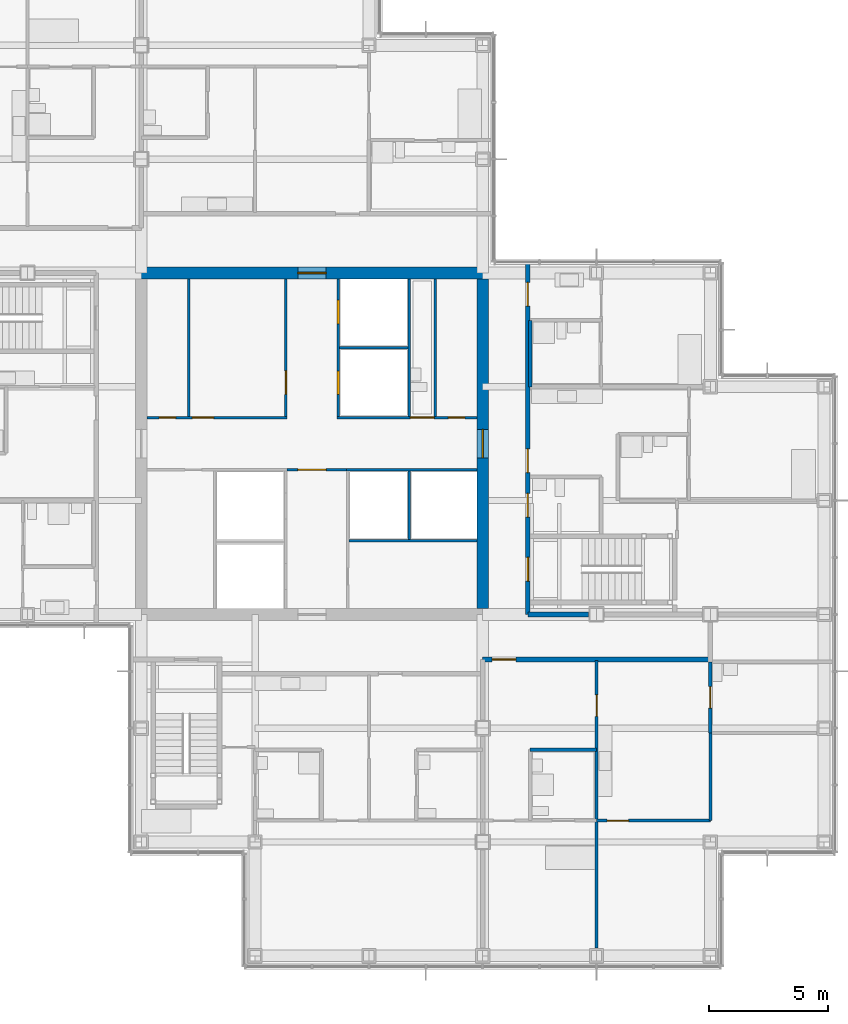
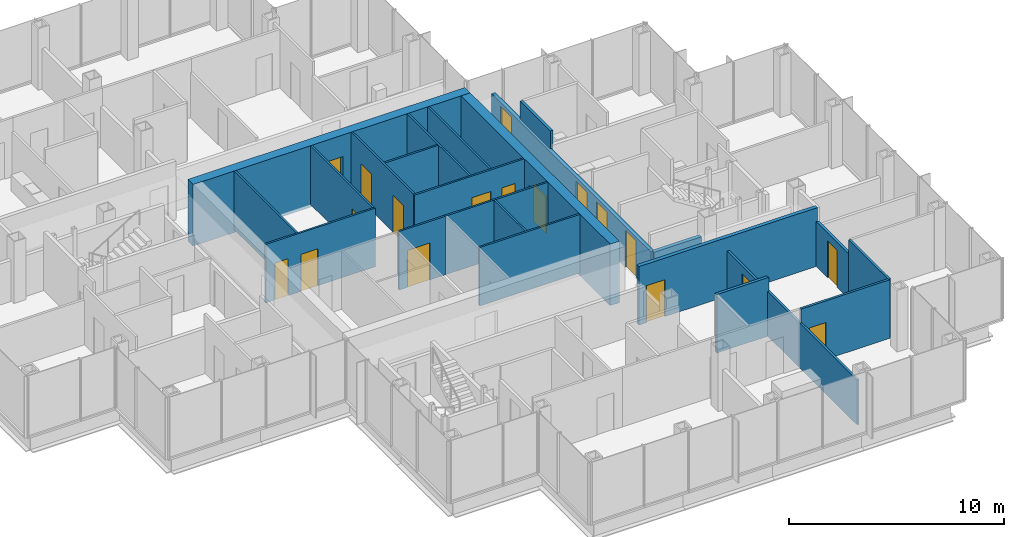
# One storey, part 15 of 20: 24 walls, 18 doors, 18 openings.
"""IFC4 building model written with IfcOpenShell, lengths in metres."""

from ifc_helpers import new_model, si_unit, direction, frame, frame_2d, origin, place, context, subcontext, project, spatial, rectangle, extrude, material, layer, layer_set, type_object, element, fill, save


model = new_model("IFC4")

# Units and contexts
model_context = context("Model", 3, precision=1e-05, world=origin(), true_north=direction((0.0, 1.0)))
body_context = subcontext(model_context, "Body", "Model", "MODEL_VIEW")
ifc_project = project(units=[si_unit("LENGTHUNIT", "METRE"), si_unit("AREAUNIT", "SQUARE_METRE"), si_unit("VOLUMEUNIT", "CUBIC_METRE"), si_unit("PLANEANGLEUNIT", "RADIAN"), si_unit("MASSUNIT", "GRAM", prefix="KILO")], contexts=[model_context])

# Site, building, storey
site_placement = place(None, origin())
site = spatial("IfcSite", under=ifc_project, at=site_placement, CompositionType="ELEMENT")
building_placement = place(site_placement, origin())
building = spatial("IfcBuilding", under=site, at=building_placement, Name="Kvirike Care Tower", CompositionType="ELEMENT")
storey_placement = place(building_placement, frame((0.0, 0.0, 126.0)))
storey = spatial("IfcBuildingStorey", under=building, at=storey_placement, Name="L34", CompositionType="ELEMENT", Elevation=126.0)

# Wall
ifc_material_1 = material(Name="Moisture-resistant board partition", Category="gypsum")
ifc_layer_1 = layer(ifc_material_1, 0.14990234375)
ifc_layer_set_1 = layer_set([ifc_layer_1], Name="BATHROOM WALL 150")
wall_type_1 = type_object("IfcWallType", Name="BATHROOM WALL 150", PredefinedType="PARTITIONING", material=ifc_layer_set_1)
wall_1_placement = place(storey_placement, frame((30.800048828125, 23.10009765625, 0.0), z_axis=(0.0, 0.0, 1.0), x_axis=(1.0, 0.0, 0.0)))
element("IfcWall", 1, at=wall_1_placement, inside=storey, type_object=wall_type_1, Name="Bathroom Wall 150 L34", PredefinedType="PARTITIONING", context=body_context, shape_type="SweptSolid", body=[
    extrude(rectangle(XDim=2.800048828125, YDim=0.14990234375, at=frame_2d((1.39990234375, 0.0))), origin(), (0.0, 0.0, 1.0), 3.330078125),
])

# Wall, opening, door
wall_2_placement = place(storey_placement, frame((38.39990234375, 23.800048828125, 0.0), z_axis=(0.0, 0.0, 1.0), x_axis=(0.0, 1.0, 0.0)))
wall_2 = element("IfcWall", 2, at=wall_2_placement, inside=storey, type_object=wall_type_1, Name="Bathroom Wall 150 L34", PredefinedType="PARTITIONING", context=body_context, shape_type="SweptSolid", body=[
    extrude(rectangle(XDim=3.0, YDim=0.14990234375, at=frame_2d((1.5, 0.0))), origin(), (0.0, 0.0, 1.0), 2.550048828125),
])
opening_1_placement = place(wall_2_placement, frame((1.050048828125, 0.0, 0.0)))
opening_1 = element("IfcOpeningElement", 3, at=opening_1_placement, cuts=wall_2, Name="Opening 34-029", PredefinedType="OPENING", context=body_context, shape_type="SweptSolid", body=[
    extrude(rectangle(XDim=0.89990234375, YDim=2.10009765625, at=frame_2d((0.449951171875, 1.050048828125))), frame((0.0, 0.08544921875, 0.0), z_axis=(0.0, -1.0, 0.0), x_axis=(1.0, 0.0, 0.0)), (0.0, 0.0, 1.0), 0.1708984375),
])
ifc_material_2 = material(Name="Timber door set", Category="wood")
door_type_1 = type_object("IfcDoorType", Name="BATHROOM DOOR 900", OperationType="SINGLE_SWING_RIGHT", PredefinedType="DOOR", material=ifc_material_2)
door_1_placement = place(opening_1_placement, frame((0.89990234375, 0.0, 0.0), z_axis=(0.0, 0.0, 1.0), x_axis=(-1.0, 0.0, 0.0)))
door_1 = element("IfcDoor", 4, at=door_1_placement, inside=storey, type_object=door_type_1, Name="Accessible WC door", OperationType="SINGLE_SWING_RIGHT", OverallHeight=2.10009765625, OverallWidth=0.89990234375, PredefinedType="DOOR", context=body_context, shape_type="SweptSolid", body=[
    extrude(rectangle(XDim=0.89990234375, YDim=2.10009765625, at=frame_2d((0.449951171875, 1.050048828125))), frame((0.0, 0.02197265625, 0.0), z_axis=(0.0, -1.0, 0.0), x_axis=(1.0, 0.0, 0.0)), (0.0, 0.0, 1.0), 0.0439453125),
])
fill(opening_1, door_1)

# Wall
wall_3_placement = place(storey_placement, frame((30.800048828125, 38.39990234375, 0.0), z_axis=(0.0, 0.0, 1.0), x_axis=(0.0, 1.0, 0.0)))
element("IfcWall", 5, at=wall_3_placement, inside=storey, type_object=wall_type_1, Name="Bathroom Wall 150 L34", PredefinedType="PARTITIONING", context=body_context, shape_type="SweptSolid", body=[
    extrude(rectangle(XDim=2.800048828125, YDim=0.14990234375, at=frame_2d((1.39990234375, 0.0))), origin(), (0.0, 0.0, 1.0), 3.330078125),
])

# Wall, opening, door
ifc_material_3 = material(Name="Concrete C50/60", Category="concrete")
ifc_layer_2 = layer(ifc_material_3, 0.5)
ifc_layer_set_2 = layer_set([ifc_layer_2], Name="CORE WALL 500 C50-60")
wall_type_2 = type_object("IfcWallType", Name="CORE WALL 500 C50-60", PredefinedType="SHEAR", material=ifc_layer_set_2)
wall_4_placement = place(storey_placement, frame((29.050048828125, 43.199951171875, -0.169921875), z_axis=(0.0, 0.0, 1.0), x_axis=(-1.0, 0.0, 0.0)))
wall_4 = element("IfcWall", 6, at=wall_4_placement, inside=storey, type_object=wall_type_2, Name="Core wall N L34", PredefinedType="SHEAR", context=body_context, shape_type="SweptSolid", body=[
    extrude(rectangle(XDim=14.900146484375, YDim=0.5, at=frame_2d((7.4501953125, 0.0))), origin(), (0.0, 0.0, 1.0), 3.5),
])
opening_2_placement = place(wall_4_placement, frame((6.85009765625, 0.0, 0.169921875)))
opening_2 = element("IfcOpeningElement", 7, at=opening_2_placement, cuts=wall_4, Name="Opening 34-059", PredefinedType="OPENING", context=body_context, shape_type="SweptSolid", body=[
    extrude(rectangle(XDim=1.199951171875, YDim=2.10009765625, at=frame_2d((0.60009765625, 1.050048828125))), frame((0.0, 0.260498046875, 0.0), z_axis=(0.0, -1.0, 0.0), x_axis=(1.0, 0.0, 0.0)), (0.0, 0.0, 1.0), 0.52099609375),
])
ifc_material_4 = material(Name="Timber door set", Category="wood")
door_type_2 = type_object("IfcDoorType", Name="CORE DOOR 1200", OperationType="SINGLE_SWING_LEFT", PredefinedType="DOOR", material=ifc_material_4)
door_2_placement = place(opening_2_placement, origin())
door_2 = element("IfcDoor", 8, at=door_2_placement, inside=storey, type_object=door_type_2, Name="Core door N L34", OperationType="SINGLE_SWING_LEFT", OverallHeight=2.10009765625, OverallWidth=1.199951171875, PredefinedType="DOOR", context=body_context, shape_type="SweptSolid", body=[
    extrude(rectangle(XDim=1.199951171875, YDim=2.10009765625, at=frame_2d((0.60009765625, 1.050048828125))), frame((0.0, 0.02685546875, 0.0), z_axis=(0.0, -1.0, 0.0), x_axis=(1.0, 0.0, 0.0)), (0.0, 0.0, 1.0), 0.053955078125),
])
fill(opening_2, door_2)

wall_5_placement = place(storey_placement, frame((28.800048828125, 29.050048828125, -0.169921875), z_axis=(0.0, 0.0, 1.0), x_axis=(0.0, 1.0, 0.0)))
wall_5 = element("IfcWall", 9, at=wall_5_placement, inside=storey, type_object=wall_type_2, Name="Core wall E L34", PredefinedType="SHEAR", context=body_context, shape_type="SweptSolid", body=[
    extrude(rectangle(XDim=13.89990234375, YDim=0.5, at=frame_2d((6.949951171875, 0.0))), origin(), (0.0, 0.0, 1.0), 3.5),
])
opening_3_placement = place(wall_5_placement, frame((6.35009765625, 0.0, 0.169921875)))
opening_3 = element("IfcOpeningElement", 10, at=opening_3_placement, cuts=wall_5, Name="Opening 34-058", PredefinedType="OPENING", context=body_context, shape_type="SweptSolid", body=[
    extrude(rectangle(XDim=1.199951171875, YDim=2.10009765625, at=frame_2d((0.60009765625, 1.050048828125))), frame((0.0, 0.260498046875, 0.0), z_axis=(0.0, -1.0, 0.0), x_axis=(1.0, 0.0, 0.0)), (0.0, 0.0, 1.0), 0.52099609375),
])
door_3_placement = place(opening_3_placement, origin())
door_3 = element("IfcDoor", 11, at=door_3_placement, inside=storey, type_object=door_type_2, Name="Core door E L34", OperationType="SINGLE_SWING_LEFT", OverallHeight=2.10009765625, OverallWidth=1.199951171875, PredefinedType="DOOR", context=body_context, shape_type="SweptSolid", body=[
    extrude(rectangle(XDim=1.199951171875, YDim=2.10009765625, at=frame_2d((0.60009765625, 1.050048828125))), frame((0.0, 0.02685546875, 0.0), z_axis=(0.0, -1.0, 0.0), x_axis=(1.0, 0.0, 0.0)), (0.0, 0.0, 1.0), 0.053955078125),
])
fill(opening_3, door_3)

ifc_material_5 = material(Name="Plasterboard corridor wall", Category="gypsum")
ifc_layer_3 = layer(ifc_material_5, 0.199951171875)
ifc_layer_set_3 = layer_set([ifc_layer_3], Name="CORRIDOR WALL 200")
wall_type_3 = type_object("IfcWallType", Name="CORRIDOR WALL 200", PredefinedType="PARTITIONING", material=ifc_layer_set_3)
wall_6_placement = place(storey_placement, frame((28.800048828125, 26.89990234375, 0.0), z_axis=(0.0, 0.0, 1.0), x_axis=(1.0, 0.0, 0.0)))
wall_6 = element("IfcWall", 12, at=wall_6_placement, inside=storey, type_object=wall_type_3, Name="Corridor Wall 200 L34", PredefinedType="PARTITIONING", context=body_context, shape_type="SweptSolid", body=[
    extrude(rectangle(XDim=9.599853515625, YDim=0.199951171875, at=frame_2d((4.7998046875, 0.0))), origin(), (0.0, 0.0, 1.0), 3.330078125),
])
opening_4_placement = place(wall_6_placement, frame((0.39990234375, 0.0, 0.0)))
opening_4 = element("IfcOpeningElement", 13, at=opening_4_placement, cuts=wall_6, Name="Opening 34-034", PredefinedType="OPENING", context=body_context, shape_type="SweptSolid", body=[
    extrude(rectangle(XDim=1.0, YDim=2.10009765625, at=frame_2d((0.5, 1.050048828125))), frame((0.0, 0.110595703125, 0.0), z_axis=(0.0, -1.0, 0.0), x_axis=(1.0, 0.0, 0.0)), (0.0, 0.0, 1.0), 0.220947265625),
])
ifc_material_6 = material(Name="Timber door set", Category="wood")
door_type_3 = type_object("IfcDoorType", Name="FLAT ENTRANCE DOOR 1000", OperationType="SINGLE_SWING_LEFT", PredefinedType="DOOR", material=ifc_material_6)
door_4_placement = place(opening_4_placement, frame((1.0, 0.0, 0.0), z_axis=(0.0, 0.0, 1.0), x_axis=(-1.0, 0.0, 0.0)))
door_4 = element("IfcDoor", 14, at=door_4_placement, inside=storey, type_object=door_type_3, Name="Assisted living suite for couples entrance", OperationType="SINGLE_SWING_LEFT", OverallHeight=2.10009765625, OverallWidth=1.0, PredefinedType="DOOR", context=body_context, shape_type="SweptSolid", body=[
    extrude(rectangle(XDim=1.0, YDim=2.10009765625, at=frame_2d((0.5, 1.050048828125))), frame((0.0, 0.02685546875, 0.0), z_axis=(0.0, -1.0, 0.0), x_axis=(1.0, 0.0, 0.0)), (0.0, 0.0, 1.0), 0.053955078125),
])
fill(opening_4, door_4)

# Wall, openings, doors
wall_7_placement = place(storey_placement, frame((30.699951171875, 28.800048828125, 0.0), z_axis=(0.0, 0.0, 1.0), x_axis=(0.0, 1.0, 0.0)))
wall_7 = element("IfcWall", 15, at=wall_7_placement, inside=storey, type_object=wall_type_3, Name="Corridor Wall 200 L34", PredefinedType="PARTITIONING", context=body_context, shape_type="SweptSolid", body=[
    extrude(rectangle(XDim=14.83984375, YDim=0.199951171875, at=frame_2d((7.419921875, 0.0))), origin(), (0.0, 0.0, 1.0), 2.320068359375),
])
opening_5_placement = place(wall_7_placement, frame((1.39990234375, 0.0, 0.0)))
opening_5 = element("IfcOpeningElement", 16, at=opening_5_placement, cuts=wall_7, Name="Opening 34-040", PredefinedType="OPENING", context=body_context, shape_type="SweptSolid", body=[
    extrude(rectangle(XDim=1.0, YDim=2.10009765625, at=frame_2d((0.5, 1.050048828125))), frame((0.0, 0.110595703125, 0.0), z_axis=(0.0, -1.0, 0.0), x_axis=(1.0, 0.0, 0.0)), (0.0, 0.0, 1.0), 0.220947265625),
])
opening_6_placement = place(wall_7_placement, frame((4.10009765625, 0.0, 0.0)))
opening_6 = element("IfcOpeningElement", 17, at=opening_6_placement, cuts=wall_7, Name="Opening 34-041", PredefinedType="OPENING", context=body_context, shape_type="SweptSolid", body=[
    extrude(rectangle(XDim=1.0, YDim=2.10009765625, at=frame_2d((0.5, 1.050048828125))), frame((0.0, 0.110595703125, 0.0), z_axis=(0.0, -1.0, 0.0), x_axis=(1.0, 0.0, 0.0)), (0.0, 0.0, 1.0), 0.220947265625),
])
opening_7_placement = place(wall_7_placement, frame((5.97509765625, 0.0, 0.0)))
opening_7 = element("IfcOpeningElement", 18, at=opening_7_placement, cuts=wall_7, Name="Opening 34-042", PredefinedType="OPENING", context=body_context, shape_type="SweptSolid", body=[
    extrude(rectangle(XDim=1.0, YDim=2.10009765625, at=frame_2d((0.5, 1.050048828125))), frame((0.0, 0.110595703125, 0.0), z_axis=(0.0, -1.0, 0.0), x_axis=(1.0, 0.0, 0.0)), (0.0, 0.0, 1.0), 0.220947265625),
])
opening_8_placement = place(wall_7_placement, frame((13.0, 0.0, 0.0)))
opening_8 = element("IfcOpeningElement", 19, at=opening_8_placement, cuts=wall_7, Name="Opening 34-043", PredefinedType="OPENING", context=body_context, shape_type="SweptSolid", body=[
    extrude(rectangle(XDim=1.0, YDim=2.10009765625, at=frame_2d((0.5, 1.050048828125))), frame((0.0, 0.110595703125, 0.0), z_axis=(0.0, -1.0, 0.0), x_axis=(1.0, 0.0, 0.0)), (0.0, 0.0, 1.0), 0.220947265625),
])
door_5_placement = place(opening_7_placement, frame((1.0, 0.0, 0.0), z_axis=(0.0, 0.0, 1.0), x_axis=(-1.0, 0.0, 0.0)))
door_5 = element("IfcDoor", 20, at=door_5_placement, inside=storey, type_object=door_type_3, Name="Assisted living suite entrance", OperationType="SINGLE_SWING_LEFT", OverallHeight=2.10009765625, OverallWidth=1.0, PredefinedType="DOOR", context=body_context, shape_type="SweptSolid", body=[
    extrude(rectangle(XDim=1.0, YDim=2.10009765625, at=frame_2d((0.5, 1.050048828125))), frame((0.0, 0.02685546875, 0.0), z_axis=(0.0, -1.0, 0.0), x_axis=(1.0, 0.0, 0.0)), (0.0, 0.0, 1.0), 0.053955078125),
])
fill(opening_7, door_5)
door_6_placement = place(opening_8_placement, frame((1.0, 0.0, 0.0), z_axis=(0.0, 0.0, 1.0), x_axis=(-1.0, 0.0, 0.0)))
door_6 = element("IfcDoor", 21, at=door_6_placement, inside=storey, type_object=door_type_3, Name="Assisted living suite entrance", OperationType="SINGLE_SWING_RIGHT", OverallHeight=2.10009765625, OverallWidth=1.0, PredefinedType="DOOR", context=body_context, shape_type="SweptSolid", body=[
    extrude(rectangle(XDim=1.0, YDim=2.10009765625, at=frame_2d((0.5, 1.050048828125))), frame((0.0, 0.02685546875, 0.0), z_axis=(0.0, -1.0, 0.0), x_axis=(1.0, 0.0, 0.0)), (0.0, 0.0, 1.0), 0.053955078125),
])
fill(opening_8, door_6)
ifc_material_7 = material(Name="Timber door set", Category="wood")
door_type_4 = type_object("IfcDoorType", Name="STAIR DOOR 1000", OperationType="SINGLE_SWING_LEFT", PredefinedType="DOOR", material=ifc_material_7)
door_7_placement = place(opening_5_placement, frame((1.0, 0.0, 0.0), z_axis=(0.0, 0.0, 1.0), x_axis=(-1.0, 0.0, 0.0)))
door_7 = element("IfcDoor", 22, at=door_7_placement, inside=storey, type_object=door_type_4, Name="Stair 2 door", OperationType="SINGLE_SWING_LEFT", OverallHeight=2.10009765625, OverallWidth=1.0, PredefinedType="DOOR", context=body_context, shape_type="SweptSolid", body=[
    extrude(rectangle(XDim=1.0, YDim=2.10009765625, at=frame_2d((0.5, 1.050048828125))), frame((0.0, 0.031982421875, 0.0), z_axis=(0.0, -1.0, 0.0), x_axis=(1.0, 0.0, 0.0)), (0.0, 0.0, 1.0), 0.06396484375),
])
fill(opening_5, door_7)
ifc_material_8 = material(Name="Timber door set", Category="wood")
door_type_5 = type_object("IfcDoorType", Name="WC DOOR 1000", OperationType="SINGLE_SWING_LEFT", PredefinedType="DOOR", material=ifc_material_8)
door_8_placement = place(opening_6_placement, frame((1.0, 0.0, 0.0), z_axis=(0.0, 0.0, 1.0), x_axis=(-1.0, 0.0, 0.0)))
door_8 = element("IfcDoor", 23, at=door_8_placement, inside=storey, type_object=door_type_5, Name="Accessible WC door", OperationType="SINGLE_SWING_LEFT", OverallHeight=2.10009765625, OverallWidth=1.0, PredefinedType="DOOR", context=body_context, shape_type="SweptSolid", body=[
    extrude(rectangle(XDim=1.0, YDim=2.10009765625, at=frame_2d((0.5, 1.050048828125))), frame((0.0, 0.02685546875, 0.0), z_axis=(0.0, -1.0, 0.0), x_axis=(1.0, 0.0, 0.0)), (0.0, 0.0, 1.0), 0.053955078125),
])
fill(opening_6, door_8)

# Wall, opening, door
ifc_material_9 = material(Name="Plasterboard partition", Category="gypsum")
ifc_layer_4 = layer(ifc_material_9, 0.1201171875)
ifc_layer_set_4 = layer_set([ifc_layer_4], Name="PARTITION 120")
wall_type_4 = type_object("IfcWallType", Name="PARTITION 120", PredefinedType="PARTITIONING", material=ifc_layer_set_4)
wall_8_placement = place(storey_placement, frame((33.60009765625, 20.10009765625, 0.0), z_axis=(0.0, 0.0, 1.0), x_axis=(0.0, 1.0, 0.0)))
wall_8 = element("IfcWall", 24, at=wall_8_placement, inside=storey, type_object=wall_type_4, Name="Partition 120 L34", PredefinedType="PARTITIONING", context=body_context, shape_type="SweptSolid", body=[
    extrude(rectangle(XDim=6.75, YDim=0.1201171875, at=frame_2d((3.375, 0.0))), origin(), (0.0, 0.0, 1.0), 2.550048828125),
])
opening_9_placement = place(wall_8_placement, frame((4.39990234375, 0.0, 0.0)))
opening_9 = element("IfcOpeningElement", 25, at=opening_9_placement, cuts=wall_8, Name="Opening 34-030", PredefinedType="OPENING", context=body_context, shape_type="SweptSolid", body=[
    extrude(rectangle(XDim=0.89990234375, YDim=2.10009765625, at=frame_2d((0.449951171875, 1.050048828125))), frame((0.0, 0.070556640625, 0.0), z_axis=(0.0, -1.0, 0.0), x_axis=(1.0, 0.0, 0.0)), (0.0, 0.0, 1.0), 0.14111328125),
])
ifc_material_10 = material(Name="Timber door set", Category="wood")
door_type_6 = type_object("IfcDoorType", Name="INTERNAL DOOR 900", OperationType="SINGLE_SWING_LEFT", PredefinedType="DOOR", material=ifc_material_10)
door_9_placement = place(opening_9_placement, origin())
door_9 = element("IfcDoor", 26, at=door_9_placement, inside=storey, type_object=door_type_6, Name="Hall door", OperationType="SINGLE_SWING_RIGHT", OverallHeight=2.10009765625, OverallWidth=0.89990234375, PredefinedType="DOOR", context=body_context, shape_type="SweptSolid", body=[
    extrude(rectangle(XDim=0.89990234375, YDim=2.10009765625, at=frame_2d((0.449951171875, 1.050048828125))), frame((0.0, 0.02197265625, 0.0), z_axis=(0.0, -1.0, 0.0), x_axis=(1.0, 0.0, 0.0)), (0.0, 0.0, 1.0), 0.0439453125),
])
fill(opening_9, door_9)

wall_9_placement = place(storey_placement, frame((33.60009765625, 20.10009765625, 0.0), z_axis=(0.0, 0.0, 1.0), x_axis=(1.0, 0.0, 0.0)))
wall_9 = element("IfcWall", 27, at=wall_9_placement, inside=storey, type_object=wall_type_4, Name="Partition 120 L34", PredefinedType="PARTITIONING", context=body_context, shape_type="SweptSolid", body=[
    extrude(rectangle(XDim=4.7998046875, YDim=0.1201171875, at=frame_2d((2.39990234375, 0.0))), origin(), (0.0, 0.0, 1.0), 3.330078125),
])
opening_10_placement = place(wall_9_placement, frame((0.449951171875, 0.0, 0.0)))
opening_10 = element("IfcOpeningElement", 28, at=opening_10_placement, cuts=wall_9, Name="Opening 34-033", PredefinedType="OPENING", context=body_context, shape_type="SweptSolid", body=[
    extrude(rectangle(XDim=0.89990234375, YDim=2.10009765625, at=frame_2d((0.449951171875, 1.050048828125))), frame((0.0, 0.070556640625, 0.0), z_axis=(0.0, -1.0, 0.0), x_axis=(1.0, 0.0, 0.0)), (0.0, 0.0, 1.0), 0.14111328125),
])
door_10_placement = place(opening_10_placement, origin())
door_10 = element("IfcDoor", 29, at=door_10_placement, inside=storey, type_object=door_type_6, Name="Suite sitting room door", OperationType="SINGLE_SWING_RIGHT", OverallHeight=2.10009765625, OverallWidth=0.89990234375, PredefinedType="DOOR", context=body_context, shape_type="SweptSolid", body=[
    extrude(rectangle(XDim=0.89990234375, YDim=2.10009765625, at=frame_2d((0.449951171875, 1.050048828125))), frame((0.0, 0.02197265625, 0.0), z_axis=(0.0, -1.0, 0.0), x_axis=(1.0, 0.0, 0.0)), (0.0, 0.0, 1.0), 0.0439453125),
])
fill(opening_10, door_10)

# Walls
wall_10_placement = place(storey_placement, frame((33.60009765625, 14.719970703125, 0.0), z_axis=(0.0, 0.0, 1.0), x_axis=(0.0, 1.0, 0.0)))
element("IfcWall", 30, at=wall_10_placement, inside=storey, type_object=wall_type_4, Name="Partition 120 L34", PredefinedType="PARTITIONING", context=body_context, shape_type="SweptSolid", body=[
    extrude(rectangle(XDim=5.380126953125, YDim=0.1201171875, at=frame_2d((2.68994140625, 0.0))), origin(), (0.0, 0.0, 1.0), 2.550048828125),
])
wall_11_placement = place(storey_placement, frame((38.39990234375, 20.10009765625, 0.0), z_axis=(0.0, 0.0, 1.0), x_axis=(0.0, 1.0, 0.0)))
element("IfcWall", 31, at=wall_11_placement, inside=storey, type_object=wall_type_4, Name="Partition 120 L34", PredefinedType="PARTITIONING", context=body_context, shape_type="SweptSolid", body=[
    extrude(rectangle(XDim=3.699951171875, YDim=0.1201171875, at=frame_2d((1.85009765625, 0.0))), origin(), (0.0, 0.0, 1.0), 3.330078125),
])
ifc_material_11 = material(Name="Plasterboard party wall", Category="gypsum")
ifc_layer_5 = layer(ifc_material_11, 0.199951171875)
ifc_layer_set_5 = layer_set([ifc_layer_5], Name="PARTY WALL 200")
wall_type_5 = type_object("IfcWallType", Name="PARTY WALL 200", PredefinedType="PARTITIONING", material=ifc_layer_set_5)
wall_12_placement = place(storey_placement, frame((33.2548828125, 28.800048828125, 0.0), z_axis=(0.0, 0.0, 1.0), x_axis=(-1.0, 0.0, 0.0)))
element("IfcWall", 32, at=wall_12_placement, inside=storey, type_object=wall_type_5, Name="Party Wall 200 L34", PredefinedType="PARTITIONING", context=body_context, shape_type="SweptSolid", body=[
    extrude(rectangle(XDim=2.554931640625, YDim=0.199951171875, at=frame_2d((1.27734375, 0.0))), origin(), (0.0, 0.0, 1.0), 2.320068359375),
])
ifc_material_12 = material(Name="Gypsum shaft wall system", Category="gypsum")
ifc_layer_6 = layer(ifc_material_12, 0.10009765625)
ifc_layer_set_6 = layer_set([ifc_layer_6], Name="SHAFT WALL 100")
wall_type_6 = type_object("IfcWallType", Name="SHAFT WALL 100", PredefinedType="SOLIDWALL", material=ifc_layer_set_6)
for number, where, z_axis, x_axis, name in (
    (33, (16.39990234375, 37.14990234375, 0.0), (0.0, 0.0, 1.0), (0.0, 1.0, 0.0), "Shaft Wall 100 L34"),
    (34, (26.800048828125, 37.14990234375, 0.0), (0.0, 0.0, 1.0), (0.0, 1.0, 0.0), "Shaft Wall 100 L34"),
):
    element("IfcWall", number, at=place(storey_placement, frame(where, z_axis=z_axis, x_axis=x_axis)), inside=storey, type_object=wall_type_6, Name=name, PredefinedType="SOLIDWALL", context=body_context, shape_type="SweptSolid", body=[
        extrude(rectangle(XDim=5.800048828125, YDim=0.10009765625, at=frame_2d((2.89990234375, 0.0))), origin(), (0.0, 0.0, 1.0), 3.330078125),
    ])

# Wall, opening, door
wall_13_placement = place(storey_placement, frame((20.5, 37.14990234375, 0.0), z_axis=(0.0, 0.0, 1.0), x_axis=(0.0, 1.0, 0.0)))
wall_13 = element("IfcWall", 35, at=wall_13_placement, inside=storey, type_object=wall_type_6, Name="Shaft Wall 100 L34", PredefinedType="SOLIDWALL", context=body_context, shape_type="SweptSolid", body=[
    extrude(rectangle(XDim=5.800048828125, YDim=0.10009765625, at=frame_2d((2.89990234375, 0.0))), origin(), (0.0, 0.0, 1.0), 3.330078125),
])
opening_11_placement = place(wall_13_placement, frame((0.925048828125, 0.0, 0.0)))
opening_11 = element("IfcOpeningElement", 36, at=opening_11_placement, cuts=wall_13, Name="Opening 34-046", PredefinedType="OPENING", context=body_context, shape_type="SweptSolid", body=[
    extrude(rectangle(XDim=1.0, YDim=2.10009765625, at=frame_2d((0.5, 1.050048828125))), frame((0.0, 0.060546875, 0.0), z_axis=(0.0, -1.0, 0.0), x_axis=(1.0, 0.0, 0.0)), (0.0, 0.0, 1.0), 0.12109375),
])
door_11_placement = place(opening_11_placement, origin())
door_11 = element("IfcDoor", 37, at=door_11_placement, inside=storey, type_object=door_type_5, Name="Staff WC door", OperationType="SINGLE_SWING_RIGHT", OverallHeight=2.10009765625, OverallWidth=1.0, PredefinedType="DOOR", context=body_context, shape_type="SweptSolid", body=[
    extrude(rectangle(XDim=1.0, YDim=2.10009765625, at=frame_2d((0.5, 1.050048828125))), frame((0.0, 0.02685546875, 0.0), z_axis=(0.0, -1.0, 0.0), x_axis=(1.0, 0.0, 0.0)), (0.0, 0.0, 1.0), 0.053955078125),
])
fill(opening_11, door_11)

# Wall, openings, doors
wall_14_placement = place(storey_placement, frame((22.699951171875, 37.14990234375, 0.0), z_axis=(0.0, 0.0, 1.0), x_axis=(0.0, 1.0, 0.0)))
wall_14 = element("IfcWall", 38, at=wall_14_placement, inside=storey, type_object=wall_type_6, Name="Shaft Wall 100 L34", PredefinedType="SOLIDWALL", context=body_context, shape_type="SweptSolid", body=[
    extrude(rectangle(XDim=5.800048828125, YDim=0.10009765625, at=frame_2d((2.89990234375, 0.0))), origin(), (0.0, 0.0, 1.0), 3.330078125),
])
opening_12_placement = place(wall_14_placement, frame((0.925048828125, 0.0, 0.0)))
opening_12 = element("IfcOpeningElement", 39, at=opening_12_placement, cuts=wall_14, Name="Opening 34-047", PredefinedType="OPENING", context=body_context, shape_type="SweptSolid", body=[
    extrude(rectangle(XDim=1.0, YDim=2.10009765625, at=frame_2d((0.5, 1.050048828125))), frame((0.0, 0.060546875, 0.0), z_axis=(0.0, -1.0, 0.0), x_axis=(1.0, 0.0, 0.0)), (0.0, 0.0, 1.0), 0.12109375),
])
opening_13_placement = place(wall_14_placement, frame((3.89990234375, 0.0, 0.0)))
opening_13 = element("IfcOpeningElement", 40, at=opening_13_placement, cuts=wall_14, Name="Opening 34-048", PredefinedType="OPENING", context=body_context, shape_type="SweptSolid", body=[
    extrude(rectangle(XDim=1.0, YDim=2.10009765625, at=frame_2d((0.5, 1.050048828125))), frame((0.0, 0.060546875, 0.0), z_axis=(0.0, -1.0, 0.0), x_axis=(1.0, 0.0, 0.0)), (0.0, 0.0, 1.0), 0.12109375),
])
ifc_material_13 = material(Name="Aluminium door frame", Category="aluminium")
door_type_7 = type_object("IfcDoorType", Name="LIFT LANDING DOOR 1000", OperationType="SLIDING_TO_LEFT", PredefinedType="DOOR", material=ifc_material_13)
door_12_placement = place(opening_12_placement, origin())
door_12 = element("IfcDoor", 41, at=door_12_placement, inside=storey, type_object=door_type_7, Name="Lift P3 landing door", OperationType="SLIDING_TO_LEFT", OverallHeight=2.10009765625, OverallWidth=1.0, PredefinedType="DOOR", context=body_context, shape_type="SweptSolid", body=[
    extrude(rectangle(XDim=1.0, YDim=2.10009765625, at=frame_2d((0.5, 1.050048828125))), frame((0.0, 0.0498046875, 0.0), z_axis=(0.0, -1.0, 0.0), x_axis=(1.0, 0.0, 0.0)), (0.0, 0.0, 1.0), 0.099609375),
])
fill(opening_12, door_12)
door_13_placement = place(opening_13_placement, origin())
door_13 = element("IfcDoor", 42, at=door_13_placement, inside=storey, type_object=door_type_7, Name="Lift P4 landing door", OperationType="SLIDING_TO_LEFT", OverallHeight=2.10009765625, OverallWidth=1.0, PredefinedType="DOOR", context=body_context, shape_type="SweptSolid", body=[
    extrude(rectangle(XDim=1.0, YDim=2.10009765625, at=frame_2d((0.5, 1.050048828125))), frame((0.0, 0.0498046875, 0.0), z_axis=(0.0, -1.0, 0.0), x_axis=(1.0, 0.0, 0.0)), (0.0, 0.0, 1.0), 0.099609375),
])
fill(opening_13, door_13)

# Wall
wall_15_placement = place(storey_placement, frame((23.050048828125, 34.89990234375, 0.0), z_axis=(0.0, 0.0, 1.0), x_axis=(1.0, 0.0, 0.0)))
element("IfcWall", 43, at=wall_15_placement, inside=storey, type_object=wall_type_6, Name="Shaft Wall 100 L34", PredefinedType="SOLIDWALL", context=body_context, shape_type="SweptSolid", body=[
    extrude(rectangle(XDim=5.5, YDim=0.10009765625, at=frame_2d((2.75, 0.0))), origin(), (0.0, 0.0, 1.0), 3.330078125),
])

# Wall, openings, doors
wall_16_placement = place(storey_placement, frame((14.64990234375, 37.10009765625, 0.0), z_axis=(0.0, 0.0, 1.0), x_axis=(1.0, 0.0, 0.0)))
wall_16 = element("IfcWall", 44, at=wall_16_placement, inside=storey, type_object=wall_type_6, Name="Shaft Wall 100 L34", PredefinedType="SOLIDWALL", context=body_context, shape_type="SweptSolid", body=[
    extrude(rectangle(XDim=5.900146484375, YDim=0.10009765625, at=frame_2d((2.9501953125, 0.0))), origin(), (0.0, 0.0, 1.0), 3.330078125),
])
opening_14_placement = place(wall_16_placement, frame((0.5, 0.0, 0.0)))
opening_14 = element("IfcOpeningElement", 45, at=opening_14_placement, cuts=wall_16, Name="Opening 34-051", PredefinedType="OPENING", context=body_context, shape_type="SweptSolid", body=[
    extrude(rectangle(XDim=0.699951171875, YDim=2.10009765625, at=frame_2d((0.35009765625, 1.050048828125))), frame((0.0, 0.060546875, 0.0), z_axis=(0.0, -1.0, 0.0), x_axis=(1.0, 0.0, 0.0)), (0.0, 0.0, 1.0), 0.12109375),
])
opening_15_placement = place(wall_16_placement, frame((1.89990234375, 0.0, 0.0)))
opening_15 = element("IfcOpeningElement", 46, at=opening_15_placement, cuts=wall_16, Name="Opening 34-052", PredefinedType="OPENING", context=body_context, shape_type="SweptSolid", body=[
    extrude(rectangle(XDim=0.89990234375, YDim=2.10009765625, at=frame_2d((0.449951171875, 1.050048828125))), frame((0.0, 0.060546875, 0.0), z_axis=(0.0, -1.0, 0.0), x_axis=(1.0, 0.0, 0.0)), (0.0, 0.0, 1.0), 0.12109375),
])
ifc_material_14 = material(Name="Timber door set", Category="wood")
door_type_8 = type_object("IfcDoorType", Name="RISER DOOR 700", OperationType="SINGLE_SWING_LEFT", PredefinedType="DOOR", material=ifc_material_14)
door_14_placement = place(opening_14_placement, origin())
door_14 = element("IfcDoor", 47, at=door_14_placement, inside=storey, type_object=door_type_8, Name="Riser door", OperationType="SINGLE_SWING_RIGHT", OverallHeight=2.10009765625, OverallWidth=0.699951171875, PredefinedType="DOOR", context=body_context, shape_type="SweptSolid", body=[
    extrude(rectangle(XDim=0.699951171875, YDim=2.10009765625, at=frame_2d((0.35009765625, 1.050048828125))), frame((0.0, 0.02685546875, 0.0), z_axis=(0.0, -1.0, 0.0), x_axis=(1.0, 0.0, 0.0)), (0.0, 0.0, 1.0), 0.053955078125),
])
fill(opening_14, door_14)
ifc_material_15 = material(Name="Timber door set", Category="wood")
door_type_9 = type_object("IfcDoorType", Name="STORE DOOR 900", OperationType="SINGLE_SWING_LEFT", PredefinedType="DOOR", material=ifc_material_15)
door_15_placement = place(opening_15_placement, origin())
door_15 = element("IfcDoor", 48, at=door_15_placement, inside=storey, type_object=door_type_9, Name="Staff changing room door", OperationType="SINGLE_SWING_RIGHT", OverallHeight=2.10009765625, OverallWidth=0.89990234375, PredefinedType="DOOR", context=body_context, shape_type="SweptSolid", body=[
    extrude(rectangle(XDim=0.89990234375, YDim=2.10009765625, at=frame_2d((0.449951171875, 1.050048828125))), frame((0.0, 0.02685546875, 0.0), z_axis=(0.0, -1.0, 0.0), x_axis=(1.0, 0.0, 0.0)), (0.0, 0.0, 1.0), 0.053955078125),
])
fill(opening_15, door_15)

wall_17_placement = place(storey_placement, frame((22.64990234375, 37.10009765625, 0.0), z_axis=(0.0, 0.0, 1.0), x_axis=(1.0, 0.0, 0.0)))
wall_17 = element("IfcWall", 49, at=wall_17_placement, inside=storey, type_object=wall_type_6, Name="Shaft Wall 100 L34", PredefinedType="SOLIDWALL", context=body_context, shape_type="SweptSolid", body=[
    extrude(rectangle(XDim=5.900146484375, YDim=0.10009765625, at=frame_2d((2.9501953125, 0.0))), origin(), (0.0, 0.0, 1.0), 3.330078125),
])
opening_16_placement = place(wall_17_placement, frame((3.10009765625, 0.0, 0.0)))
opening_16 = element("IfcOpeningElement", 50, at=opening_16_placement, cuts=wall_17, Name="Opening 34-053", PredefinedType="OPENING", context=body_context, shape_type="SweptSolid", body=[
    extrude(rectangle(XDim=1.0, YDim=2.10009765625, at=frame_2d((0.5, 1.050048828125))), frame((0.0, 0.060546875, 0.0), z_axis=(0.0, -1.0, 0.0), x_axis=(1.0, 0.0, 0.0)), (0.0, 0.0, 1.0), 0.12109375),
])
opening_17_placement = place(wall_17_placement, frame((4.699951171875, 0.0, 0.0)))
opening_17 = element("IfcOpeningElement", 51, at=opening_17_placement, cuts=wall_17, Name="Opening 34-054", PredefinedType="OPENING", context=body_context, shape_type="SweptSolid", body=[
    extrude(rectangle(XDim=0.699951171875, YDim=2.10009765625, at=frame_2d((0.35009765625, 1.050048828125))), frame((0.0, 0.060546875, 0.0), z_axis=(0.0, -1.0, 0.0), x_axis=(1.0, 0.0, 0.0)), (0.0, 0.0, 1.0), 0.12109375),
])
door_16_placement = place(opening_17_placement, origin())
door_16 = element("IfcDoor", 52, at=door_16_placement, inside=storey, type_object=door_type_8, Name="Riser door", OperationType="SINGLE_SWING_LEFT", OverallHeight=2.10009765625, OverallWidth=0.699951171875, PredefinedType="DOOR", context=body_context, shape_type="SweptSolid", body=[
    extrude(rectangle(XDim=0.699951171875, YDim=2.10009765625, at=frame_2d((0.35009765625, 1.050048828125))), frame((0.0, 0.02685546875, 0.0), z_axis=(0.0, -1.0, 0.0), x_axis=(1.0, 0.0, 0.0)), (0.0, 0.0, 1.0), 0.053955078125),
])
fill(opening_17, door_16)
door_17_placement = place(opening_16_placement, origin())
door_17 = element("IfcDoor", 53, at=door_17_placement, inside=storey, type_object=door_type_5, Name="Staff WC door", OperationType="SINGLE_SWING_LEFT", OverallHeight=2.10009765625, OverallWidth=1.0, PredefinedType="DOOR", context=body_context, shape_type="SweptSolid", body=[
    extrude(rectangle(XDim=1.0, YDim=2.10009765625, at=frame_2d((0.5, 1.050048828125))), frame((0.0, 0.02685546875, 0.0), z_axis=(0.0, -1.0, 0.0), x_axis=(1.0, 0.0, 0.0)), (0.0, 0.0, 1.0), 0.053955078125),
])
fill(opening_16, door_17)

# Wall, opening, door
wall_18_placement = place(storey_placement, frame((20.550048828125, 34.89990234375, 0.0), z_axis=(0.0, 0.0, 1.0), x_axis=(1.0, 0.0, 0.0)))
wall_18 = element("IfcWall", 54, at=wall_18_placement, inside=storey, type_object=wall_type_6, Name="Shaft Wall 100 L34", PredefinedType="SOLIDWALL", context=body_context, shape_type="SweptSolid", body=[
    extrude(rectangle(XDim=2.5, YDim=0.10009765625, at=frame_2d((1.25, 0.0))), origin(), (0.0, 0.0, 1.0), 3.330078125),
])
opening_18_placement = place(wall_18_placement, frame((0.449951171875, 0.0, 0.0)))
opening_18 = element("IfcOpeningElement", 55, at=opening_18_placement, cuts=wall_18, Name="Opening 34-055", PredefinedType="OPENING", context=body_context, shape_type="SweptSolid", body=[
    extrude(rectangle(XDim=1.199951171875, YDim=2.10009765625, at=frame_2d((0.60009765625, 1.050048828125))), frame((0.0, 0.060546875, 0.0), z_axis=(0.0, -1.0, 0.0), x_axis=(1.0, 0.0, 0.0)), (0.0, 0.0, 1.0), 0.12109375),
])
door_18_placement = place(opening_18_placement, frame((1.199951171875, 0.0, 0.0), z_axis=(0.0, 0.0, 1.0), x_axis=(-1.0, 0.0, 0.0)))
door_18 = element("IfcDoor", 56, at=door_18_placement, inside=storey, type_object=door_type_2, Name="Fire-fighting lobby door", OperationType="SINGLE_SWING_LEFT", OverallHeight=2.10009765625, OverallWidth=1.199951171875, PredefinedType="DOOR", context=body_context, shape_type="SweptSolid", body=[
    extrude(rectangle(XDim=1.199951171875, YDim=2.10009765625, at=frame_2d((0.60009765625, 1.050048828125))), frame((0.0, 0.02685546875, 0.0), z_axis=(0.0, -1.0, 0.0), x_axis=(1.0, 0.0, 0.0)), (0.0, 0.0, 1.0), 0.053955078125),
])
fill(opening_18, door_18)

# Walls
wall_19_placement = place(storey_placement, frame((22.75, 40.050048828125, 0.0), z_axis=(0.0, 0.0, 1.0), x_axis=(1.0, 0.0, 0.0)))
element("IfcWall", 57, at=wall_19_placement, inside=storey, type_object=wall_type_6, Name="Shaft Wall 100 L34", PredefinedType="SOLIDWALL", context=body_context, shape_type="SweptSolid", body=[
    extrude(rectangle(XDim=2.89990234375, YDim=0.10009765625, at=frame_2d((1.449951171875, 0.0))), origin(), (0.0, 0.0, 1.0), 3.330078125),
])
wall_20_placement = place(storey_placement, frame((25.699951171875, 37.14990234375, 0.0), z_axis=(0.0, 0.0, 1.0), x_axis=(0.0, 1.0, 0.0)))
element("IfcWall", 58, at=wall_20_placement, inside=storey, type_object=wall_type_6, Name="Shaft Wall 100 L34", PredefinedType="SOLIDWALL", context=body_context, shape_type="SweptSolid", body=[
    extrude(rectangle(XDim=5.800048828125, YDim=0.10009765625, at=frame_2d((2.89990234375, 0.0))), origin(), (0.0, 0.0, 1.0), 3.330078125),
])
wall_21_placement = place(storey_placement, frame((25.699951171875, 31.949951171875, 0.0), z_axis=(0.0, 0.0, 1.0), x_axis=(0.0, 1.0, 0.0)))
element("IfcWall", 59, at=wall_21_placement, inside=storey, type_object=wall_type_6, Name="Shaft Wall 100 L34", PredefinedType="SOLIDWALL", context=body_context, shape_type="SweptSolid", body=[
    extrude(rectangle(XDim=2.900146484375, YDim=0.10009765625, at=frame_2d((1.4501953125, 0.0))), origin(), (0.0, 0.0, 1.0), 3.330078125),
])
wall_22_placement = place(storey_placement, frame((23.14990234375, 31.89990234375, 0.0), z_axis=(0.0, 0.0, 1.0), x_axis=(1.0, 0.0, 0.0)))
element("IfcWall", 60, at=wall_22_placement, inside=storey, type_object=wall_type_6, Name="Shaft Wall 100 L34", PredefinedType="SOLIDWALL", context=body_context, shape_type="SweptSolid", body=[
    extrude(rectangle(XDim=5.400146484375, YDim=0.10009765625, at=frame_2d((2.7001953125, 0.0))), origin(), (0.0, 0.0, 1.0), 3.330078125),
])

save(model, "model.ifc")
